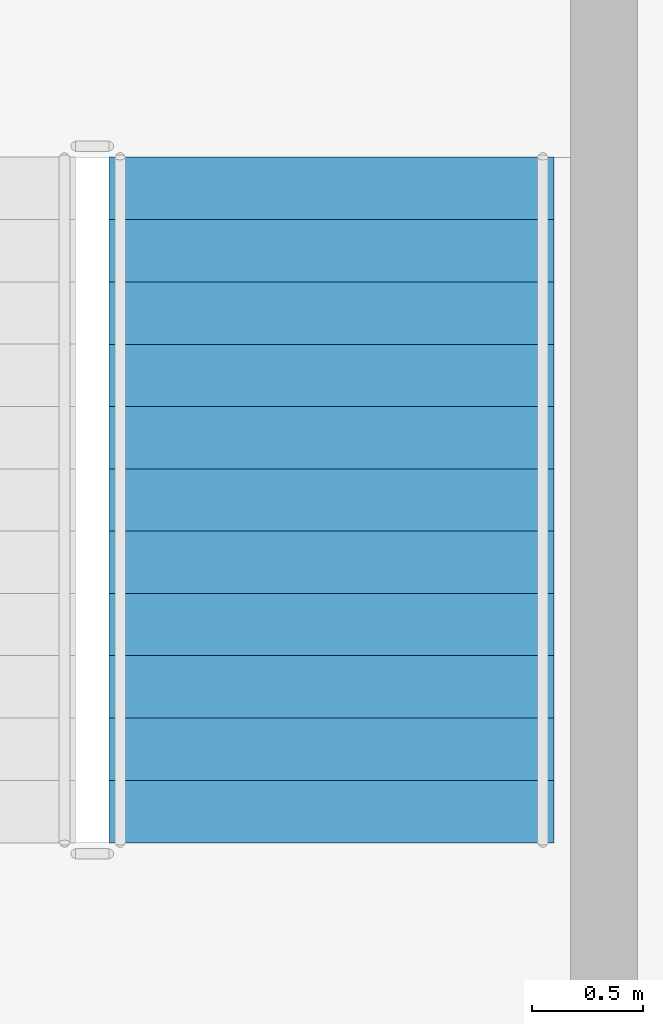
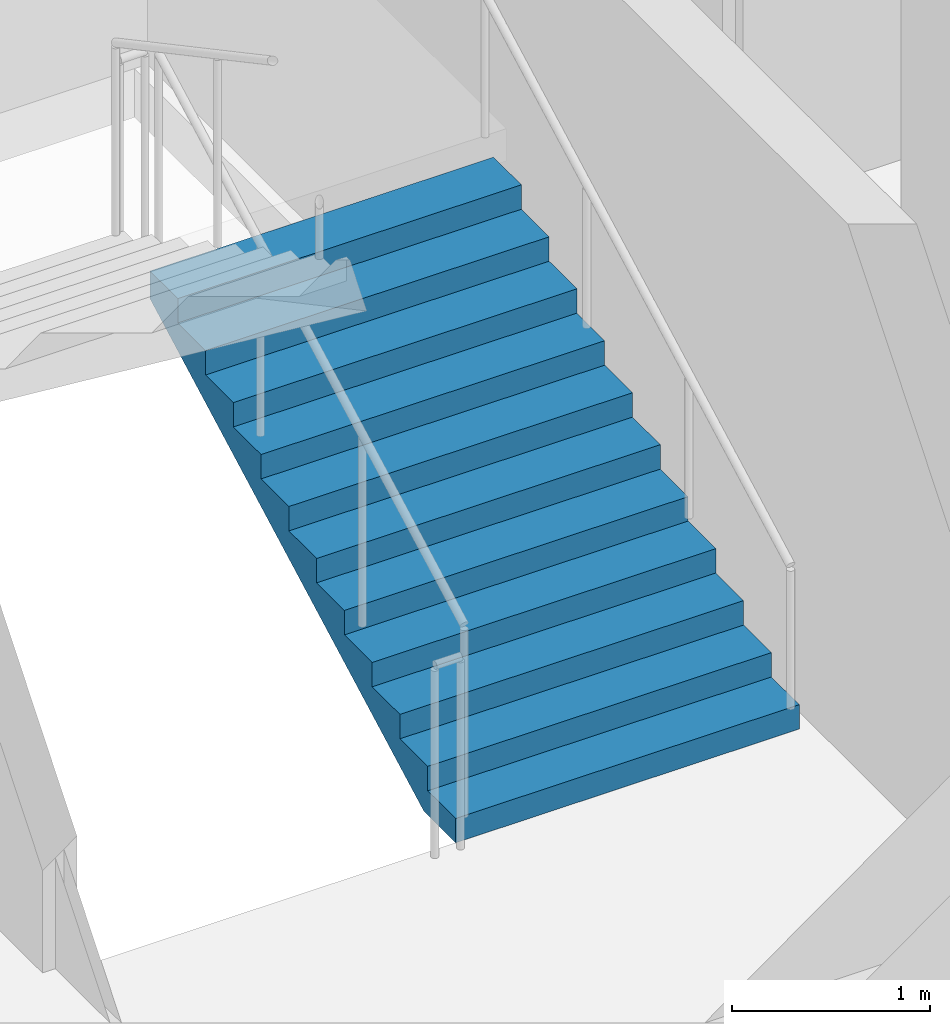
# One storey, part 11 of 14: 1 stair flight, 1 element without a shape of its own.
"""IFC4 building model written with IfcOpenShell, lengths in metres."""

from ifc_helpers import new_model, si_unit, direction, frame, origin, place, context, subcontext, project, spatial, polygons, material, type_object, element, aggregate, save


model = new_model("IFC4")

# Units and contexts
model_context = context("Model", 3, precision=1e-05, world=origin(), true_north=direction((0.0, 1.0)))
body_context = subcontext(model_context, "Body", "Model", "MODEL_VIEW")
ifc_project = project(units=[si_unit("LENGTHUNIT", "METRE"), si_unit("AREAUNIT", "SQUARE_METRE"), si_unit("VOLUMEUNIT", "CUBIC_METRE"), si_unit("PLANEANGLEUNIT", "RADIAN"), si_unit("MASSUNIT", "GRAM", prefix="KILO")], contexts=[model_context])

# Site, building, storey
site_placement = place(None, origin())
site = spatial("IfcSite", under=ifc_project, at=site_placement, CompositionType="ELEMENT")
building_placement = place(site_placement, origin())
building = spatial("IfcBuilding", under=site, at=building_placement, Name="Caravel Reach Hotel and Residences", CompositionType="ELEMENT")
storey_placement = place(building_placement, frame((0.0, 0.0, 88.800048828125)))
storey = spatial("IfcBuildingStorey", under=building, at=storey_placement, Name="L21", CompositionType="ELEMENT", Elevation=88.800048828125)

# Stair, stair flight
ifc_material_1 = material(Name="Concrete C40", Category="concrete")
stair_type = type_object("IfcStairType", Name="Core stair", PredefinedType="HALF_TURN_STAIR", material=ifc_material_1)
stair_placement = place(storey_placement, origin())
stair = element("IfcStair", 1, at=stair_placement, inside=storey, type_object=stair_type, Name="L21 Exit stair B", PredefinedType="HALF_TURN_STAIR")
ifc_material_2 = material(Name="Concrete C40", Category="concrete")
stair_flight_type = type_object("IfcStairFlightType", Name="Core stair flight", PredefinedType="STRAIGHT", material=ifc_material_2)
stair_flight_placement = place(storey_placement, frame((43.77490234375, 24.64990234375, 0.0), z_axis=(0.0, 0.0, 1.0), x_axis=(0.0, 1.0, 0.0)))
stair_flight = element("IfcStairFlight", 2, at=stair_flight_placement, type_object=stair_flight_type, Name="ST-B flight 1", NumberOfRisers=12, NumberOfTreads=11, PredefinedType="STRAIGHT", RiserHeight=0.15, TreadLength=0.28, context=body_context, shape_type="Tessellation", body=[
    polygons([(0.3174408016601862, 1.0, 0.0), (0.3174408016601862, 0.6666666666666667, 0.0), (0.3174408016601862, 0.33333333333333337, 0.0), (0.3174408016601862, 0.0, 0.0), (0.3174408016601862, -0.33333333333333326, 0.0), (0.3174408016601862, -0.6666666666666667, 0.0), (0.3174408016601862, -1.0, 0.0), (3.081, 1.0, 1.479942427682043), (3.081, 0.6666666666666667, 1.479942427682043), (3.081, 0.33333333333333337, 1.479942427682043), (3.081, 0.0, 1.479942427682043), (3.081, -0.33333333333333326, 1.479942427682043), (3.081, -0.6666666666666667, 1.479942427682043), (3.081, -1.0, 1.479942427682043), (3.081, 1.0, 1.65), (3.081, 0.6666666666666667, 1.65), (3.081, 0.33333333333333337, 1.65), (3.081, 0.0, 1.65), (3.081, -0.33333333333333326, 1.65), (3.081, -0.6666666666666667, 1.65), (3.081, -1.0, 1.65), (2.8000000000000003, 1.0, 1.65), (2.8000000000000003, 0.6666666666666667, 1.65), (2.8000000000000003, 0.33333333333333337, 1.65), (2.8000000000000003, 0.0, 1.65), (2.8000000000000003, -0.33333333333333326, 1.65), (2.8000000000000003, -0.6666666666666667, 1.65), (2.8000000000000003, -1.0, 1.65), (2.8000000000000003, 1.0, 1.5), (2.8000000000000003, 0.6666666666666667, 1.5), (2.8000000000000003, 0.33333333333333337, 1.5), (2.8000000000000003, 0.0, 1.5), (2.8000000000000003, -0.33333333333333326, 1.5), (2.8000000000000003, -0.6666666666666667, 1.5), (2.8000000000000003, -1.0, 1.5), (2.5200000000000005, 1.0, 1.5), (2.5200000000000005, 0.6666666666666667, 1.5), (2.5200000000000005, 0.33333333333333337, 1.5), (2.5200000000000005, 0.0, 1.5), (2.5200000000000005, -0.33333333333333326, 1.5), (2.5200000000000005, -0.6666666666666667, 1.5), (2.5200000000000005, -1.0, 1.5), (2.5200000000000005, 1.0, 1.3499999999999999), (2.5200000000000005, 0.6666666666666667, 1.3499999999999999), (2.5200000000000005, 0.33333333333333337, 1.3499999999999999), (2.5200000000000005, 0.0, 1.3499999999999999), (2.5200000000000005, -0.33333333333333326, 1.3499999999999999), (2.5200000000000005, -0.6666666666666667, 1.3499999999999999), (2.5200000000000005, -1.0, 1.3499999999999999), (2.24, 1.0, 1.3499999999999999), (2.24, 0.6666666666666667, 1.3499999999999999), (2.24, 0.33333333333333337, 1.3499999999999999), (2.24, 0.0, 1.3499999999999999), (2.24, -0.33333333333333326, 1.3499999999999999), (2.24, -0.6666666666666667, 1.3499999999999999), (2.24, -1.0, 1.3499999999999999), (2.24, 1.0, 1.2), (2.24, 0.6666666666666667, 1.2), (2.24, 0.33333333333333337, 1.2), (2.24, 0.0, 1.2), (2.24, -0.33333333333333326, 1.2), (2.24, -0.6666666666666667, 1.2), (2.24, -1.0, 1.2), (1.9600000000000002, 1.0, 1.2), (1.9600000000000002, 0.6666666666666667, 1.2), (1.9600000000000002, 0.33333333333333337, 1.2), (1.9600000000000002, 0.0, 1.2), (1.9600000000000002, -0.33333333333333326, 1.2), (1.9600000000000002, -0.6666666666666667, 1.2), (1.9600000000000002, -1.0, 1.2), (1.9600000000000002, 1.0, 1.05), (1.9600000000000002, 0.6666666666666667, 1.05), (1.9600000000000002, 0.33333333333333337, 1.05), (1.9600000000000002, 0.0, 1.05), (1.9600000000000002, -0.33333333333333326, 1.05), (1.9600000000000002, -0.6666666666666667, 1.05), (1.9600000000000002, -1.0, 1.05), (1.6800000000000002, 1.0, 1.05), (1.6800000000000002, 0.6666666666666667, 1.05), (1.6800000000000002, 0.33333333333333337, 1.05), (1.6800000000000002, 0.0, 1.05), (1.6800000000000002, -0.33333333333333326, 1.05), (1.6800000000000002, -0.6666666666666667, 1.05), (1.6800000000000002, -1.0, 1.05), (1.6800000000000002, 1.0, 0.8999999999999999), (1.6800000000000002, 0.6666666666666667, 0.8999999999999999), (1.6800000000000002, 0.33333333333333337, 0.8999999999999999), (1.6800000000000002, 0.0, 0.8999999999999999), (1.6800000000000002, -0.33333333333333326, 0.8999999999999999), (1.6800000000000002, -0.6666666666666667, 0.8999999999999999), (1.6800000000000002, -1.0, 0.8999999999999999), (1.4000000000000001, 1.0, 0.8999999999999999), (1.4000000000000001, 0.6666666666666667, 0.8999999999999999), (1.4000000000000001, 0.33333333333333337, 0.8999999999999999), (1.4000000000000001, 0.0, 0.8999999999999999), (1.4000000000000001, -0.33333333333333326, 0.8999999999999999), (1.4000000000000001, -0.6666666666666667, 0.8999999999999999), (1.4000000000000001, -1.0, 0.8999999999999999), (1.4000000000000001, 1.0, 0.75), (1.4000000000000001, 0.6666666666666667, 0.75), (1.4000000000000001, 0.33333333333333337, 0.75), (1.4000000000000001, 0.0, 0.75), (1.4000000000000001, -0.33333333333333326, 0.75), (1.4000000000000001, -0.6666666666666667, 0.75), (1.4000000000000001, -1.0, 0.75), (1.12, 1.0, 0.75), (1.12, 0.6666666666666667, 0.75), (1.12, 0.33333333333333337, 0.75), (1.12, 0.0, 0.75), (1.12, -0.33333333333333326, 0.75), (1.12, -0.6666666666666667, 0.75), (1.12, -1.0, 0.75), (1.12, 1.0, 0.6), (1.12, 0.6666666666666667, 0.6), (1.12, 0.33333333333333337, 0.6), (1.12, 0.0, 0.6), (1.12, -0.33333333333333326, 0.6), (1.12, -0.6666666666666667, 0.6), (1.12, -1.0, 0.6), (0.8400000000000001, 1.0, 0.6), (0.8400000000000001, 0.6666666666666667, 0.6), (0.8400000000000001, 0.33333333333333337, 0.6), (0.8400000000000001, 0.0, 0.6), (0.8400000000000001, -0.33333333333333326, 0.6), (0.8400000000000001, -0.6666666666666667, 0.6), (0.8400000000000001, -1.0, 0.6), (0.8400000000000001, 1.0, 0.44999999999999996), (0.8400000000000001, 0.6666666666666667, 0.44999999999999996), (0.8400000000000001, 0.33333333333333337, 0.44999999999999996), (0.8400000000000001, 0.0, 0.44999999999999996), (0.8400000000000001, -0.33333333333333326, 0.44999999999999996), (0.8400000000000001, -0.6666666666666667, 0.44999999999999996), (0.8400000000000001, -1.0, 0.44999999999999996), (0.56, 1.0, 0.44999999999999996), (0.56, 0.6666666666666667, 0.44999999999999996), (0.56, 0.33333333333333337, 0.44999999999999996), (0.56, 0.0, 0.44999999999999996), (0.56, -0.33333333333333326, 0.44999999999999996), (0.56, -0.6666666666666667, 0.44999999999999996), (0.56, -1.0, 0.44999999999999996), (0.56, 1.0, 0.3), (0.56, 0.6666666666666667, 0.3), (0.56, 0.33333333333333337, 0.3), (0.56, 0.0, 0.3), (0.56, -0.33333333333333326, 0.3), (0.56, -0.6666666666666667, 0.3), (0.56, -1.0, 0.3), (0.28, 1.0, 0.3), (0.28, 0.6666666666666667, 0.3), (0.28, 0.33333333333333337, 0.3), (0.28, 0.0, 0.3), (0.28, -0.33333333333333326, 0.3), (0.28, -0.6666666666666667, 0.3), (0.28, -1.0, 0.3), (0.28, 1.0, 0.15), (0.28, 0.6666666666666667, 0.15), (0.28, 0.33333333333333337, 0.15), (0.28, 0.0, 0.15), (0.28, -0.33333333333333326, 0.15), (0.28, -0.6666666666666667, 0.15), (0.28, -1.0, 0.15), (-0.001, 1.0, 0.15), (-0.001, 0.6666666666666667, 0.15), (-0.001, 0.33333333333333337, 0.15), (-0.001, 0.0, 0.15), (-0.001, -0.33333333333333326, 0.15), (-0.001, -0.6666666666666667, 0.15), (-0.001, -1.0, 0.15), (-0.001, 1.0, 0.0), (-0.001, 0.6666666666666667, 0.0), (-0.001, 0.33333333333333337, 0.0), (-0.001, 0.0, 0.0), (-0.001, -0.33333333333333326, 0.0), (-0.001, -0.6666666666666667, 0.0), (-0.001, -1.0, 0.0)], [[[169, 162, 155, 148, 141, 134, 127, 120, 113, 106, 99, 92, 85, 78, 71, 64, 57, 50, 43, 36, 29, 22, 15, 8, 1]], [[7, 14, 21, 28, 35, 42, 49, 56, 63, 70, 77, 84, 91, 98, 105, 112, 119, 126, 133, 140, 147, 154, 161, 168, 175]], [[1, 8, 9, 2]], [[2, 9, 10, 3]], [[3, 10, 11, 4]], [[4, 11, 12, 5]], [[5, 12, 13, 6]], [[6, 13, 14, 7]], [[8, 15, 16, 9]], [[9, 16, 17, 10]], [[10, 17, 18, 11]], [[11, 18, 19, 12]], [[12, 19, 20, 13]], [[13, 20, 21, 14]], [[15, 22, 23, 16]], [[16, 23, 24, 17]], [[17, 24, 25, 18]], [[18, 25, 26, 19]], [[19, 26, 27, 20]], [[20, 27, 28, 21]], [[22, 29, 30, 23]], [[23, 30, 31, 24]], [[24, 31, 32, 25]], [[25, 32, 33, 26]], [[26, 33, 34, 27]], [[27, 34, 35, 28]], [[29, 36, 37, 30]], [[30, 37, 38, 31]], [[31, 38, 39, 32]], [[32, 39, 40, 33]], [[33, 40, 41, 34]], [[34, 41, 42, 35]], [[36, 43, 44, 37]], [[37, 44, 45, 38]], [[38, 45, 46, 39]], [[39, 46, 47, 40]], [[40, 47, 48, 41]], [[41, 48, 49, 42]], [[43, 50, 51, 44]], [[44, 51, 52, 45]], [[45, 52, 53, 46]], [[46, 53, 54, 47]], [[47, 54, 55, 48]], [[48, 55, 56, 49]], [[50, 57, 58, 51]], [[51, 58, 59, 52]], [[52, 59, 60, 53]], [[53, 60, 61, 54]], [[54, 61, 62, 55]], [[55, 62, 63, 56]], [[57, 64, 65, 58]], [[58, 65, 66, 59]], [[59, 66, 67, 60]], [[60, 67, 68, 61]], [[61, 68, 69, 62]], [[62, 69, 70, 63]], [[64, 71, 72, 65]], [[65, 72, 73, 66]], [[66, 73, 74, 67]], [[67, 74, 75, 68]], [[68, 75, 76, 69]], [[69, 76, 77, 70]], [[71, 78, 79, 72]], [[72, 79, 80, 73]], [[73, 80, 81, 74]], [[74, 81, 82, 75]], [[75, 82, 83, 76]], [[76, 83, 84, 77]], [[78, 85, 86, 79]], [[79, 86, 87, 80]], [[80, 87, 88, 81]], [[81, 88, 89, 82]], [[82, 89, 90, 83]], [[83, 90, 91, 84]], [[85, 92, 93, 86]], [[86, 93, 94, 87]], [[87, 94, 95, 88]], [[88, 95, 96, 89]], [[89, 96, 97, 90]], [[90, 97, 98, 91]], [[92, 99, 100, 93]], [[93, 100, 101, 94]], [[94, 101, 102, 95]], [[95, 102, 103, 96]], [[96, 103, 104, 97]], [[97, 104, 105, 98]], [[99, 106, 107, 100]], [[100, 107, 108, 101]], [[101, 108, 109, 102]], [[102, 109, 110, 103]], [[103, 110, 111, 104]], [[104, 111, 112, 105]], [[106, 113, 114, 107]], [[107, 114, 115, 108]], [[108, 115, 116, 109]], [[109, 116, 117, 110]], [[110, 117, 118, 111]], [[111, 118, 119, 112]], [[113, 120, 121, 114]], [[114, 121, 122, 115]], [[115, 122, 123, 116]], [[116, 123, 124, 117]], [[117, 124, 125, 118]], [[118, 125, 126, 119]], [[120, 127, 128, 121]], [[121, 128, 129, 122]], [[122, 129, 130, 123]], [[123, 130, 131, 124]], [[124, 131, 132, 125]], [[125, 132, 133, 126]], [[127, 134, 135, 128]], [[128, 135, 136, 129]], [[129, 136, 137, 130]], [[130, 137, 138, 131]], [[131, 138, 139, 132]], [[132, 139, 140, 133]], [[134, 141, 142, 135]], [[135, 142, 143, 136]], [[136, 143, 144, 137]], [[137, 144, 145, 138]], [[138, 145, 146, 139]], [[139, 146, 147, 140]], [[141, 148, 149, 142]], [[142, 149, 150, 143]], [[143, 150, 151, 144]], [[144, 151, 152, 145]], [[145, 152, 153, 146]], [[146, 153, 154, 147]], [[148, 155, 156, 149]], [[149, 156, 157, 150]], [[150, 157, 158, 151]], [[151, 158, 159, 152]], [[152, 159, 160, 153]], [[153, 160, 161, 154]], [[155, 162, 163, 156]], [[156, 163, 164, 157]], [[157, 164, 165, 158]], [[158, 165, 166, 159]], [[159, 166, 167, 160]], [[160, 167, 168, 161]], [[162, 169, 170, 163]], [[163, 170, 171, 164]], [[164, 171, 172, 165]], [[165, 172, 173, 166]], [[166, 173, 174, 167]], [[167, 174, 175, 168]], [[169, 1, 2, 170]], [[170, 2, 3, 171]], [[171, 3, 4, 172]], [[172, 4, 5, 173]], [[173, 5, 6, 174]], [[174, 6, 7, 175]]], closed=True),
])
aggregate(stair, [stair_flight])

save(model, "model.ifc")
